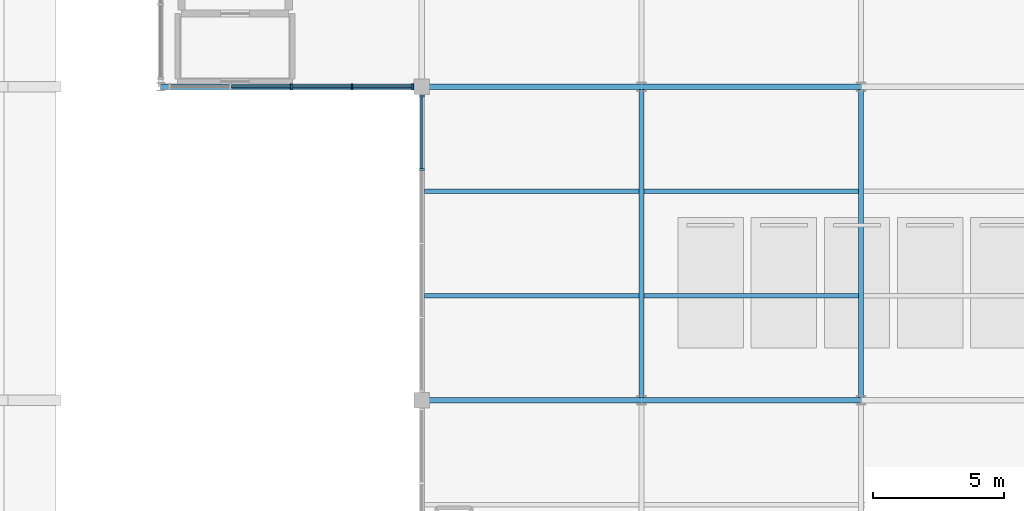
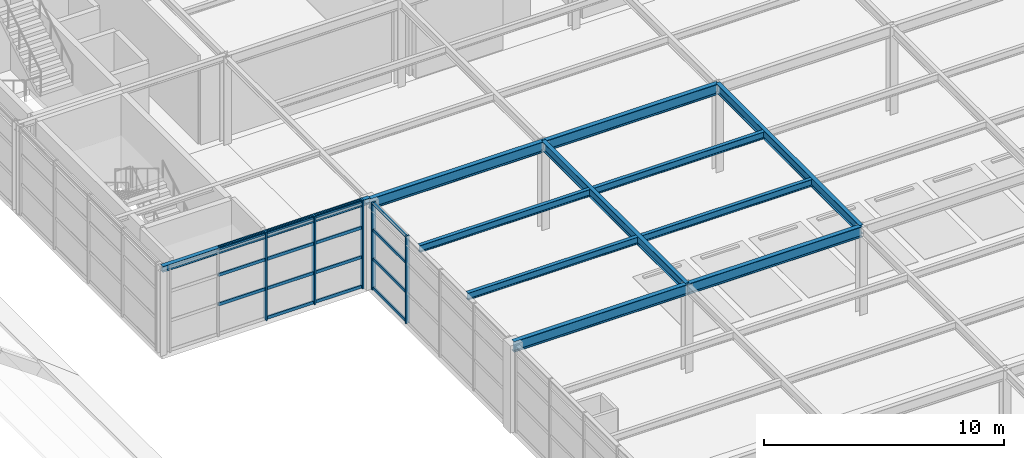
# One storey, part 25 of 82: 20 members, 11 beams, 2 elements without a shape of their own.
"""IFC4 building model written with IfcOpenShell, lengths in metres."""

from ifc_helpers import new_model, si_unit, direction, frame, origin, origin_2d, place, context, subcontext, project, spatial, rectangle, i_section, extrude, material, layer, layer_set, material_profile, profile_set, type_object, element, aggregate, save


model = new_model("IFC4")

# Units and contexts
model_context = context("Model", 3, precision=1e-05, world=origin(), true_north=direction((0.0, 1.0)))
body_context = subcontext(model_context, "Body", "Model", "MODEL_VIEW")
ifc_project = project(units=[si_unit("LENGTHUNIT", "METRE"), si_unit("AREAUNIT", "SQUARE_METRE"), si_unit("VOLUMEUNIT", "CUBIC_METRE"), si_unit("PLANEANGLEUNIT", "RADIAN"), si_unit("MASSUNIT", "GRAM", prefix="KILO")], contexts=[model_context])

# Site, building, storey
site_placement = place(None, origin())
site = spatial("IfcSite", under=ifc_project, at=site_placement, CompositionType="ELEMENT")
building_placement = place(site_placement, origin())
building = spatial("IfcBuilding", under=site, at=building_placement, Name="Sitalva Quay Ferry Terminal", CompositionType="ELEMENT")
storey_placement = place(building_placement, frame((0.0, 0.0, 5.39990234375)))
storey = spatial("IfcBuildingStorey", under=building, at=storey_placement, Name="L02", CompositionType="ELEMENT", Elevation=5.39990234375)

# Beams
ifc_material_1 = material(Name="Structural Steel S355JR", Category="steel")
ifc_material_profile_1 = material_profile(ifc_material_1, i_section(OverallWidth=0.202880859375, OverallDepth=0.302978515625, WebThickness=0.007568359375, FlangeThickness=0.01318359375, FilletRadius=0.011962890625, at=origin_2d()), Name="W310x60")
ifc_profile_set_1 = profile_set([ifc_material_profile_1], Name="Structural Steel S355JR")
beam_type_1 = type_object("IfcBeamType", Name="Beam_W310x60", PredefinedType="BEAM", material=ifc_profile_set_1)
beam_1_placement = place(storey_placement, frame((74.0, 66.0, 4.3486328125), z_axis=(1.0, 0.0, 0.0), x_axis=(0.0, 1.0, 0.0)))
element("IfcBeam", 1, at=beam_1_placement, inside=storey, type_object=beam_type_1, Name="L02 Primary X girder 0704", PredefinedType="BEAM", context=body_context, shape_type="SweptSolid", body=[
    extrude(i_section(OverallWidth=0.202880859375, OverallDepth=0.302978515625, WebThickness=0.007568359375, FlangeThickness=0.01318359375, FilletRadius=0.011962890625, at=origin_2d()), origin(), (0.0, 0.0, 1.0), 10.0),
])
ifc_material_2 = material(Name="Structural Steel S355JR", Category="steel")
ifc_material_profile_2 = material_profile(ifc_material_2, i_section(OverallWidth=0.19091796875, OverallDepth=0.4599609375, WebThickness=0.010009765625, FlangeThickness=0.01611328125, FilletRadius=0.013916015625, at=origin_2d()), Name="W460x82")
ifc_profile_set_2 = profile_set([ifc_material_profile_2], Name="Structural Steel S355JR")
beam_type_2 = type_object("IfcBeamType", Name="Beam_W460x82", PredefinedType="BEAM", material=ifc_profile_set_2)
for number, where, z_axis, x_axis, name in (
    (2, (92.39990234375, 54.0, 4.22021484375), (0.0, 1.0, 0.0), (-1.0, 0.0, 0.0), "L02 Primary Y girder 0815"),
    (3, (100.800048828125, 54.0, 4.22021484375), (0.0, 1.0, 0.0), (-1.0, 0.0, 0.0), "L02 Primary Y girder 0820"),
):
    element("IfcBeam", number, at=place(storey_placement, frame(where, z_axis=z_axis, x_axis=x_axis)), inside=storey, type_object=beam_type_2, Name=name, PredefinedType="BEAM", context=body_context, shape_type="SweptSolid", body=[
        extrude(i_section(OverallWidth=0.19091796875, OverallDepth=0.4599609375, WebThickness=0.010009765625, FlangeThickness=0.01611328125, FilletRadius=0.013916015625, at=origin_2d()), origin(), (0.0, 0.0, 1.0), 12.0),
    ])
ifc_material_3 = material(Name="Structural Steel S355JR", Category="steel")
ifc_material_profile_3 = material_profile(ifc_material_3, i_section(OverallWidth=0.2119140625, OverallDepth=0.5439453125, WebThickness=0.01318359375, FlangeThickness=0.021240234375, FilletRadius=0.014892578125, at=origin_2d()), Name="W530x123")
ifc_profile_set_3 = profile_set([ifc_material_profile_3], Name="Structural Steel S355JR")
beam_type_3 = type_object("IfcBeamType", Name="Girder_W530x123", PredefinedType="USERDEFINED", material=ifc_profile_set_3)
beam_2_placement = place(storey_placement, frame((84.0, 54.0, 4.177978515625), z_axis=(1.0, 0.0, 0.0), x_axis=(0.0, 1.0, 0.0)))
element("IfcBeam", 4, at=beam_2_placement, inside=storey, type_object=beam_type_3, Name="L02 Primary X girder 0779", ObjectType="GIRDER", PredefinedType="USERDEFINED", context=body_context, shape_type="SweptSolid", body=[
    extrude(i_section(OverallWidth=0.2119140625, OverallDepth=0.5439453125, WebThickness=0.01318359375, FlangeThickness=0.021240234375, FilletRadius=0.014892578125, at=origin_2d()), origin(), (0.0, 0.0, 1.0), 8.39990234375),
])
beam_3_placement = place(storey_placement, frame((92.39990234375, 54.0, 4.177978515625), z_axis=(1.0, 0.0, 0.0), x_axis=(0.0, 1.0, 0.0)))
element("IfcBeam", 5, at=beam_3_placement, inside=storey, type_object=beam_type_3, Name="L02 Primary X girder 0780", ObjectType="GIRDER", PredefinedType="USERDEFINED", context=body_context, shape_type="SweptSolid", body=[
    extrude(i_section(OverallWidth=0.2119140625, OverallDepth=0.5439453125, WebThickness=0.01318359375, FlangeThickness=0.021240234375, FilletRadius=0.014892578125, at=origin_2d()), origin(), (0.0, 0.0, 1.0), 8.400146484375),
])
beam_4_placement = place(storey_placement, frame((84.0, 66.0, 4.177978515625), z_axis=(1.0, 0.0, 0.0), x_axis=(0.0, 1.0, 0.0)))
element("IfcBeam", 6, at=beam_4_placement, inside=storey, type_object=beam_type_3, Name="L02 Primary X girder 0789", ObjectType="GIRDER", PredefinedType="USERDEFINED", context=body_context, shape_type="SweptSolid", body=[
    extrude(i_section(OverallWidth=0.2119140625, OverallDepth=0.5439453125, WebThickness=0.01318359375, FlangeThickness=0.021240234375, FilletRadius=0.014892578125, at=origin_2d()), origin(), (0.0, 0.0, 1.0), 8.39990234375),
])
beam_5_placement = place(storey_placement, frame((92.39990234375, 66.0, 4.177978515625), z_axis=(1.0, 0.0, 0.0), x_axis=(0.0, 1.0, 0.0)))
element("IfcBeam", 7, at=beam_5_placement, inside=storey, type_object=beam_type_3, Name="L02 Primary X girder 0790", ObjectType="GIRDER", PredefinedType="USERDEFINED", context=body_context, shape_type="SweptSolid", body=[
    extrude(i_section(OverallWidth=0.2119140625, OverallDepth=0.5439453125, WebThickness=0.01318359375, FlangeThickness=0.021240234375, FilletRadius=0.014892578125, at=origin_2d()), origin(), (0.0, 0.0, 1.0), 8.400146484375),
])
ifc_material_4 = material(Name="Structural Steel S355JR", Category="steel")
ifc_material_profile_4 = material_profile(ifc_material_4, i_section(OverallWidth=0.172119140625, OverallDepth=0.35791015625, WebThickness=0.0078125, FlangeThickness=0.01318359375, FilletRadius=0.011962890625, at=origin_2d()), Name="W360x57")
ifc_profile_set_4 = profile_set([ifc_material_profile_4], Name="Structural Steel S355JR")
beam_type_4 = type_object("IfcBeamType", Name="Joist_W360x57", PredefinedType="JOIST", material=ifc_profile_set_4)
for number, where, z_axis, x_axis, name in (
    (8, (84.095458984375, 58.0, 4.27099609375), (1.0, 0.0, 0.0), (0.0, 1.0, 0.0), "L02 Secondary joist 0920"),
    (9, (92.49560546875, 58.0, 4.27099609375), (1.0, 0.0, 0.0), (0.0, 1.0, 0.0), "L02 Secondary joist 0921"),
    (10, (84.095458984375, 62.0, 4.27099609375), (1.0, 0.0, 0.0), (0.0, 1.0, 0.0), "L02 Secondary joist 0930"),
    (11, (92.49560546875, 62.0, 4.27099609375), (1.0, 0.0, 0.0), (0.0, 1.0, 0.0), "L02 Secondary joist 0931"),
):
    element("IfcBeam", number, at=place(storey_placement, frame(where, z_axis=z_axis, x_axis=x_axis)), inside=storey, type_object=beam_type_4, Name=name, PredefinedType="JOIST", context=body_context, shape_type="SweptSolid", body=[
        extrude(i_section(OverallWidth=0.172119140625, OverallDepth=0.35791015625, WebThickness=0.0078125, FlangeThickness=0.01318359375, FilletRadius=0.011962890625, at=origin_2d()), origin(), (0.0, 0.0, 1.0), 8.208984375),
    ])

# Curtain wall, members
ifc_material_5 = material(Name="Anodised Aluminium & Low-E Glazing", Category="aluminium")
ifc_layer_1 = layer(ifc_material_5, 0.159912109375)
ifc_layer_set_1 = layer_set([ifc_layer_1], Name="Anodised Aluminium & Low-E Glazing")
curtain_wall_type_1 = type_object("IfcCurtainWallType", Name="CW_Podium_Stick", PredefinedType="USERDEFINED", material=ifc_layer_set_1)
curtain_wall_1_placement = place(storey_placement, origin())
curtain_wall_1 = element("IfcCurtainWall", 12, at=curtain_wall_1_placement, inside=storey, type_object=curtain_wall_type_1, Name="L02 east monsoon court north glazing (CW-L02-079)", ObjectType="CURTAIN_WALL", PredefinedType="USERDEFINED")
ifc_material_6 = material(Name="Anodised Aluminium 6063-T6", Category="aluminium")
ifc_material_profile_5 = material_profile(ifc_material_6, rectangle(XDim=0.074951171875, YDim=0.219970703125, at=origin_2d()), Name="ALU75x220")
ifc_profile_set_5 = profile_set([ifc_material_profile_5], Name="Anodised Aluminium 6063-T6")
member_type_1 = type_object("IfcMemberType", Name="Mullion_Alu_75x160", PredefinedType="MULLION", material=ifc_profile_set_5)
member_1_placement = place(storey_placement, frame((79.0, 66.0, 0.0), z_axis=(0.0, 0.0, 1.0), x_axis=(1.0, 0.0, 0.0)))
member_1 = element("IfcMember", 13, at=member_1_placement, type_object=member_type_1, Name="CW-L02-079-M2", PredefinedType="MULLION", context=body_context, shape_type="SweptSolid", body=[
    extrude(rectangle(XDim=0.074951171875, YDim=0.219970703125, at=origin_2d()), origin(), (0.0, 0.0, 1.0), 4.5),
])
member_2_placement = place(storey_placement, frame((81.324951171875, 66.0, 0.0), z_axis=(0.0, 0.0, 1.0), x_axis=(1.0, 0.0, 0.0)))
member_2 = element("IfcMember", 14, at=member_2_placement, type_object=member_type_1, Name="CW-L02-079-M3", PredefinedType="MULLION", context=body_context, shape_type="SweptSolid", body=[
    extrude(rectangle(XDim=0.074951171875, YDim=0.219970703125, at=origin_2d()), origin(), (0.0, 0.0, 1.0), 4.5),
])
member_3_placement = place(storey_placement, frame((83.64990234375, 66.0, 0.0), z_axis=(0.0, 0.0, 1.0), x_axis=(1.0, 0.0, 0.0)))
member_3 = element("IfcMember", 15, at=member_3_placement, type_object=member_type_1, Name="CW-L02-079-M4", PredefinedType="MULLION", context=body_context, shape_type="SweptSolid", body=[
    extrude(rectangle(XDim=0.074951171875, YDim=0.219970703125, at=origin_2d()), origin(), (0.0, 0.0, 1.0), 4.5),
])

ifc_material_7 = material(Name="Anodised Aluminium & Low-E Glazing", Category="aluminium")
ifc_layer_2 = layer(ifc_material_7, 0.159912109375)
ifc_layer_set_2 = layer_set([ifc_layer_2], Name="Anodised Aluminium & Low-E Glazing")
curtain_wall_type_2 = type_object("IfcCurtainWallType", Name="CW_Coastal_Louvred", PredefinedType="USERDEFINED", material=ifc_layer_set_2)
curtain_wall_2_placement = place(storey_placement, origin())
curtain_wall_2 = element("IfcCurtainWall", 16, at=curtain_wall_2_placement, inside=storey, type_object=curtain_wall_type_2, Name="L02 east court louvred wall (CW-L02-082)", ObjectType="CURTAIN_WALL", PredefinedType="USERDEFINED")
ifc_material_8 = material(Name="Anodised Aluminium 6063-T6", Category="aluminium")
ifc_material_profile_6 = material_profile(ifc_material_8, rectangle(XDim=0.080078125, YDim=0.18505859375, at=origin_2d()), Name="ALU80x185")
ifc_profile_set_6 = profile_set([ifc_material_profile_6], Name="Anodised Aluminium 6063-T6")
member_type_2 = type_object("IfcMemberType", Name="Mullion_Alu_80x185", PredefinedType="MULLION", material=ifc_profile_set_6)
member_4_placement = place(storey_placement, frame((84.0, 62.824951171875, 0.0), z_axis=(0.0, 0.0, 1.0), x_axis=(0.0, 1.0, 0.0)))
member_4 = element("IfcMember", 17, at=member_4_placement, type_object=member_type_2, Name="CW-L02-082-M3", PredefinedType="MULLION", context=body_context, shape_type="SweptSolid", body=[
    extrude(rectangle(XDim=0.080078125, YDim=0.18505859375, at=origin_2d()), origin(), (0.0, 0.0, 1.0), 4.4501953125),
])
member_5_placement = place(storey_placement, frame((84.0, 65.64990234375, 0.0), z_axis=(0.0, 0.0, 1.0), x_axis=(0.0, 1.0, 0.0)))
member_5 = element("IfcMember", 18, at=member_5_placement, type_object=member_type_2, Name="CW-L02-082-M4", PredefinedType="MULLION", context=body_context, shape_type="SweptSolid", body=[
    extrude(rectangle(XDim=0.080078125, YDim=0.18505859375, at=origin_2d()), origin(), (0.0, 0.0, 1.0), 4.4501953125),
])

# Member
ifc_material_9 = material(Name="Anodised Aluminium 6063-T6", Category="aluminium")
ifc_material_profile_7 = material_profile(ifc_material_9, rectangle(XDim=0.074951171875, YDim=0.155029296875, at=origin_2d()), Name="ALU75x155")
ifc_profile_set_7 = profile_set([ifc_material_profile_7], Name="Anodised Aluminium 6063-T6")
member_type_3 = type_object("IfcMemberType", Name="Transom_Alu_70x135", PredefinedType="MULLION", material=ifc_profile_set_7)
member_6_placement = place(storey_placement, frame((76.71240234375, 66.0, 1.57763671875), z_axis=(1.0, 0.0, 0.0), x_axis=(0.0, 1.0, 0.0)))
member_6 = element("IfcMember", 19, at=member_6_placement, type_object=member_type_3, Name="CW-L02-079-T1-1", ObjectType="TRANSOM", PredefinedType="USERDEFINED", context=body_context, shape_type="SweptSolid", body=[
    extrude(rectangle(XDim=0.074951171875, YDim=0.155029296875, at=origin_2d()), origin(), (0.0, 0.0, 1.0), 2.25),
])

member_7_placement = place(storey_placement, frame((76.71240234375, 66.0, 3.07763671875), z_axis=(1.0, 0.0, 0.0), x_axis=(0.0, 1.0, 0.0)))
member_7 = element("IfcMember", 20, at=member_7_placement, type_object=member_type_3, Name="CW-L02-079-T1-2", ObjectType="TRANSOM", PredefinedType="USERDEFINED", context=body_context, shape_type="SweptSolid", body=[
    extrude(rectangle(XDim=0.074951171875, YDim=0.155029296875, at=origin_2d()), origin(), (0.0, 0.0, 1.0), 2.25),
])

member_8_placement = place(storey_placement, frame((76.71240234375, 66.0, 4.422607421875), z_axis=(1.0, 0.0, 0.0), x_axis=(0.0, 1.0, 0.0)))
member_8 = element("IfcMember", 21, at=member_8_placement, type_object=member_type_3, Name="CW-L02-079-T1-3", ObjectType="TRANSOM", PredefinedType="USERDEFINED", context=body_context, shape_type="SweptSolid", body=[
    extrude(rectangle(XDim=0.074951171875, YDim=0.155029296875, at=origin_2d()), origin(), (0.0, 0.0, 1.0), 2.25),
])

member_9_placement = place(storey_placement, frame((79.03759765625, 66.0, 0.07763671875), z_axis=(1.0, 0.0, 0.0), x_axis=(0.0, 1.0, 0.0)))
member_9 = element("IfcMember", 22, at=member_9_placement, type_object=member_type_3, Name="CW-L02-079-T2-0", ObjectType="TRANSOM", PredefinedType="USERDEFINED", context=body_context, shape_type="SweptSolid", body=[
    extrude(rectangle(XDim=0.074951171875, YDim=0.155029296875, at=origin_2d()), origin(), (0.0, 0.0, 1.0), 2.25),
])

member_10_placement = place(storey_placement, frame((79.03759765625, 66.0, 1.57763671875), z_axis=(1.0, 0.0, 0.0), x_axis=(0.0, 1.0, 0.0)))
member_10 = element("IfcMember", 23, at=member_10_placement, type_object=member_type_3, Name="CW-L02-079-T2-1", ObjectType="TRANSOM", PredefinedType="USERDEFINED", context=body_context, shape_type="SweptSolid", body=[
    extrude(rectangle(XDim=0.074951171875, YDim=0.155029296875, at=origin_2d()), origin(), (0.0, 0.0, 1.0), 2.25),
])

member_11_placement = place(storey_placement, frame((79.03759765625, 66.0, 3.07763671875), z_axis=(1.0, 0.0, 0.0), x_axis=(0.0, 1.0, 0.0)))
member_11 = element("IfcMember", 24, at=member_11_placement, type_object=member_type_3, Name="CW-L02-079-T2-2", ObjectType="TRANSOM", PredefinedType="USERDEFINED", context=body_context, shape_type="SweptSolid", body=[
    extrude(rectangle(XDim=0.074951171875, YDim=0.155029296875, at=origin_2d()), origin(), (0.0, 0.0, 1.0), 2.25),
])

member_12_placement = place(storey_placement, frame((79.03759765625, 66.0, 4.422607421875), z_axis=(1.0, 0.0, 0.0), x_axis=(0.0, 1.0, 0.0)))
member_12 = element("IfcMember", 25, at=member_12_placement, type_object=member_type_3, Name="CW-L02-079-T2-3", ObjectType="TRANSOM", PredefinedType="USERDEFINED", context=body_context, shape_type="SweptSolid", body=[
    extrude(rectangle(XDim=0.074951171875, YDim=0.155029296875, at=origin_2d()), origin(), (0.0, 0.0, 1.0), 2.25),
])

member_13_placement = place(storey_placement, frame((81.362548828125, 66.0, 0.07763671875), z_axis=(1.0, 0.0, 0.0), x_axis=(0.0, 1.0, 0.0)))
member_13 = element("IfcMember", 26, at=member_13_placement, type_object=member_type_3, Name="CW-L02-079-T3-0", ObjectType="TRANSOM", PredefinedType="USERDEFINED", context=body_context, shape_type="SweptSolid", body=[
    extrude(rectangle(XDim=0.074951171875, YDim=0.155029296875, at=origin_2d()), origin(), (0.0, 0.0, 1.0), 2.25),
])

member_14_placement = place(storey_placement, frame((81.362548828125, 66.0, 1.57763671875), z_axis=(1.0, 0.0, 0.0), x_axis=(0.0, 1.0, 0.0)))
member_14 = element("IfcMember", 27, at=member_14_placement, type_object=member_type_3, Name="CW-L02-079-T3-1", ObjectType="TRANSOM", PredefinedType="USERDEFINED", context=body_context, shape_type="SweptSolid", body=[
    extrude(rectangle(XDim=0.074951171875, YDim=0.155029296875, at=origin_2d()), origin(), (0.0, 0.0, 1.0), 2.25),
])

member_15_placement = place(storey_placement, frame((81.362548828125, 66.0, 3.07763671875), z_axis=(1.0, 0.0, 0.0), x_axis=(0.0, 1.0, 0.0)))
member_15 = element("IfcMember", 28, at=member_15_placement, type_object=member_type_3, Name="CW-L02-079-T3-2", ObjectType="TRANSOM", PredefinedType="USERDEFINED", context=body_context, shape_type="SweptSolid", body=[
    extrude(rectangle(XDim=0.074951171875, YDim=0.155029296875, at=origin_2d()), origin(), (0.0, 0.0, 1.0), 2.25),
])

member_16_placement = place(storey_placement, frame((81.362548828125, 66.0, 4.422607421875), z_axis=(1.0, 0.0, 0.0), x_axis=(0.0, 1.0, 0.0)))
member_16 = element("IfcMember", 29, at=member_16_placement, type_object=member_type_3, Name="CW-L02-079-T3-3", ObjectType="TRANSOM", PredefinedType="USERDEFINED", context=body_context, shape_type="SweptSolid", body=[
    extrude(rectangle(XDim=0.074951171875, YDim=0.155029296875, at=origin_2d()), origin(), (0.0, 0.0, 1.0), 2.25),
])

aggregate(curtain_wall_1, [member_1, member_2, member_3, member_6, member_7, member_8, member_9, member_10, member_11, member_12, member_13, member_14, member_15, member_16])

ifc_material_10 = material(Name="Anodised Aluminium 6063-T6", Category="aluminium")
ifc_material_profile_8 = material_profile(ifc_material_10, rectangle(XDim=0.074951171875, YDim=0.14990234375, at=origin_2d()), Name="ALU75x150")
ifc_profile_set_8 = profile_set([ifc_material_profile_8], Name="Anodised Aluminium 6063-T6")
member_type_4 = type_object("IfcMemberType", Name="Transom_Alu_75x140", PredefinedType="MULLION", material=ifc_profile_set_8)
member_17_placement = place(storey_placement, frame((84.0, 62.864990234375, 0.0751953125), z_axis=(0.0, 1.0, 0.0), x_axis=(-1.0, 0.0, 0.0)))
member_17 = element("IfcMember", 30, at=member_17_placement, type_object=member_type_4, Name="CW-L02-082-T3-0", ObjectType="TRANSOM", PredefinedType="USERDEFINED", context=body_context, shape_type="SweptSolid", body=[
    extrude(rectangle(XDim=0.074951171875, YDim=0.14990234375, at=origin_2d()), origin(), (0.0, 0.0, 1.0), 2.7451171875),
])

member_18_placement = place(storey_placement, frame((84.0, 62.864990234375, 1.558349609375), z_axis=(0.0, 1.0, 0.0), x_axis=(-1.0, 0.0, 0.0)))
member_18 = element("IfcMember", 31, at=member_18_placement, type_object=member_type_4, Name="CW-L02-082-T3-1", ObjectType="TRANSOM", PredefinedType="USERDEFINED", context=body_context, shape_type="SweptSolid", body=[
    extrude(rectangle(XDim=0.074951171875, YDim=0.14990234375, at=origin_2d()), origin(), (0.0, 0.0, 1.0), 2.7451171875),
])

member_19_placement = place(storey_placement, frame((84.0, 62.864990234375, 3.041748046875), z_axis=(0.0, 1.0, 0.0), x_axis=(-1.0, 0.0, 0.0)))
member_19 = element("IfcMember", 32, at=member_19_placement, type_object=member_type_4, Name="CW-L02-082-T3-2", ObjectType="TRANSOM", PredefinedType="USERDEFINED", context=body_context, shape_type="SweptSolid", body=[
    extrude(rectangle(XDim=0.074951171875, YDim=0.14990234375, at=origin_2d()), origin(), (0.0, 0.0, 1.0), 2.7451171875),
])

member_20_placement = place(storey_placement, frame((84.0, 62.864990234375, 4.375), z_axis=(0.0, 1.0, 0.0), x_axis=(-1.0, 0.0, 0.0)))
member_20 = element("IfcMember", 33, at=member_20_placement, type_object=member_type_4, Name="CW-L02-082-T3-3", ObjectType="TRANSOM", PredefinedType="USERDEFINED", context=body_context, shape_type="SweptSolid", body=[
    extrude(rectangle(XDim=0.074951171875, YDim=0.14990234375, at=origin_2d()), origin(), (0.0, 0.0, 1.0), 2.7451171875),
])

aggregate(curtain_wall_2, [member_4, member_5, member_17, member_18, member_19, member_20])

save(model, "model.ifc")
